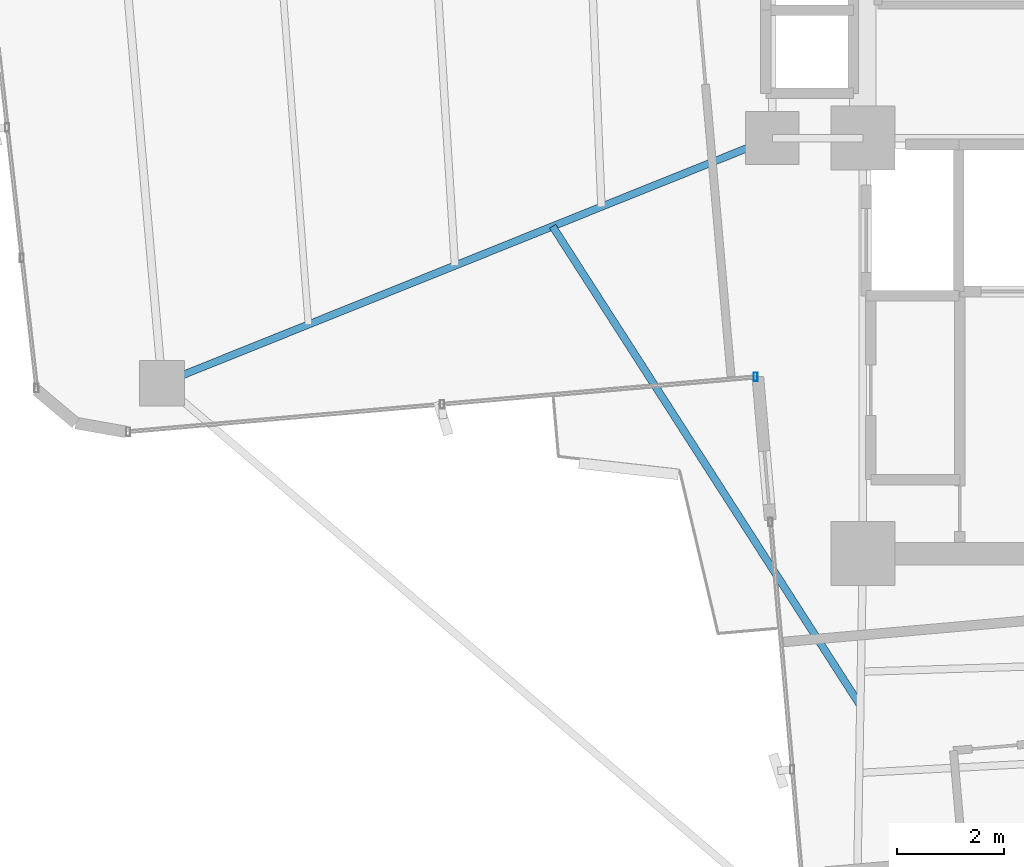
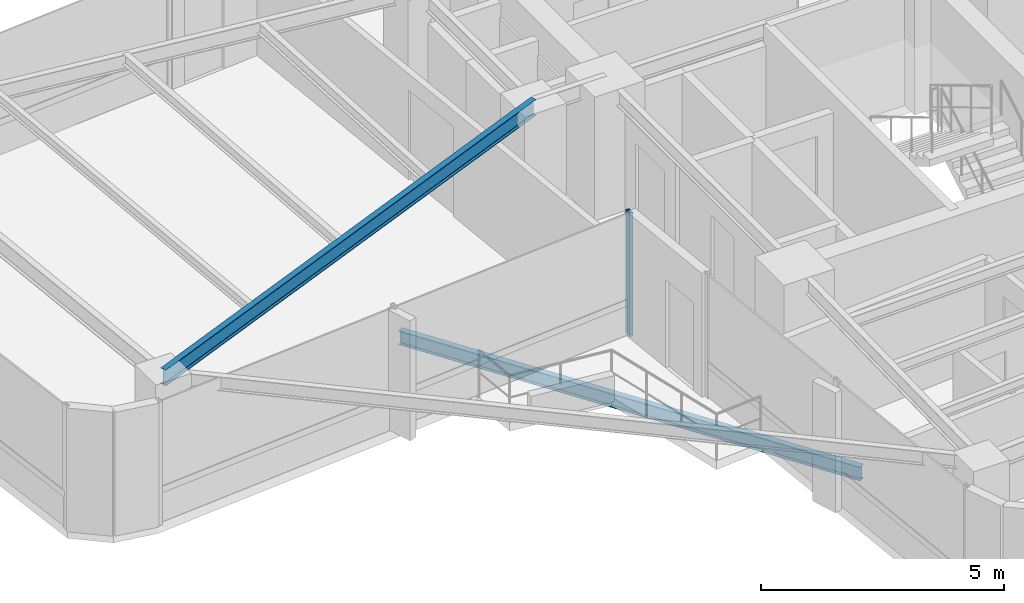
# One storey, part 5 of 24: 2 beams, 1 member, 1 element without a shape of its own.
"""IFC4 building model written with IfcOpenShell, lengths in metres."""

from ifc_helpers import new_model, si_unit, direction, frame, origin, origin_2d, place, context, subcontext, project, spatial, hollow_rectangle, i_section, extrude, source, transform, mapped, material, material_profile, profile_set, type_object, element, aggregate, save


model = new_model("IFC4")

# Units and contexts
model_context = context("Model", 3, precision=1e-05, world=origin(), true_north=direction((0.0, 1.0)))
body_context = subcontext(model_context, "Body", "Model", "MODEL_VIEW")
ifc_project = project(units=[si_unit("LENGTHUNIT", "METRE"), si_unit("AREAUNIT", "SQUARE_METRE"), si_unit("VOLUMEUNIT", "CUBIC_METRE"), si_unit("PLANEANGLEUNIT", "RADIAN"), si_unit("MASSUNIT", "GRAM", prefix="KILO")], contexts=[model_context])

# Site, building, storey
site_placement = place(None, origin())
site = spatial("IfcSite", under=ifc_project, at=site_placement, CompositionType="ELEMENT")
building_placement = place(site_placement, origin())
building = spatial("IfcBuilding", under=site, at=building_placement, Name="Sahyath Konkavel Grand Hotel", CompositionType="ELEMENT")
storey_placement = place(building_placement, frame((0.0, 0.0, 175.199951171875)))
storey = spatial("IfcBuildingStorey", under=building, at=storey_placement, Name="L48", CompositionType="ELEMENT", Elevation=175.199951171875)

# Beam
ifc_material_1 = material(Name="Steel E350", Category="steel")
ifc_material_profile_1 = material_profile(ifc_material_1, i_section(OverallWidth=0.139892578125, OverallDepth=0.39990234375, WebThickness=0.0087890625, FlangeThickness=0.01611328125, FilletRadius=0.013916015625, at=origin_2d()), Name="ISMB 400")
ifc_profile_set_1 = profile_set([ifc_material_profile_1], Name="Steel E350")
beam_type_1 = type_object("IfcBeamType", Name="BM-ISMB400", PredefinedType="BEAM", material=ifc_profile_set_1)
shared_shape_1 = source(origin(), body_context, "Body", "SweptSolid", [
    extrude(i_section(OverallWidth=0.139892578125, OverallDepth=0.39990234375, WebThickness=0.0087890625, FlangeThickness=0.01611328125, FilletRadius=0.013916015625, at=origin_2d()), origin(), (0.0, 0.0, 1.0), 12.344970703125),
])
beam_1_placement = place(storey_placement, frame((-5.5, -2.39990234375, 2.91015625), z_axis=(-0.927837014101, -0.372985891507, 0.0), x_axis=(0.372985891507, -0.927837014101, 0.0)))
element("IfcBeam", 1, at=beam_1_placement, inside=storey, type_object=beam_type_1, Name="L48 Cruciform Radial Girder WB", PredefinedType="BEAM", context=body_context, shape_type="MappedRepresentation", body=[
    mapped(shared_shape_1, transform((0.0, 0.0, 0.0), scale=1.0)),
])

# Curtain wall, member
ifc_material_2 = material(Name="Anodised Bronze Aluminium & Low-E Glazing", Category="aluminium")
curtain_wall_type = type_object("IfcCurtainWallType", Name="CW-ZONE3", PredefinedType="NOTDEFINED", material=ifc_material_2)
curtain_wall_placement = place(storey_placement, origin())
curtain_wall = element("IfcCurtainWall", 2, at=curtain_wall_placement, inside=storey, type_object=curtain_wall_type, Name="L48 Unitised Curtain Wall F23", PredefinedType="NOTDEFINED")
ifc_material_3 = material(Name="Anodised Bronze Aluminium", Category="aluminium")
ifc_material_profile_2 = material_profile(ifc_material_3, hollow_rectangle(XDim=0.080078125, YDim=0.159912109375, WallThickness=0.006103515625, at=origin_2d()), Name="RHS 160x80x6")
ifc_profile_set_2 = profile_set([ifc_material_profile_2], Name="Anodised Bronze Aluminium")
member_type = type_object("IfcMemberType", Name="CW-MUL-160", PredefinedType="MULLION", material=ifc_profile_set_2)
shared_shape_2 = source(origin(), body_context, "Body", "SweptSolid", [
    extrude(hollow_rectangle(XDim=0.080078125, YDim=0.159912109375, WallThickness=0.006103515625, at=origin_2d()), origin(), (0.0, 0.0, 1.0), 3.110107421875),
])
member_placement = place(storey_placement, frame((-5.812255859375, -6.8828125, 0.0), z_axis=(0.0, 0.0, 1.0), x_axis=(1.0, 0.0, 0.0)))
member = element("IfcMember", 3, at=member_placement, type_object=member_type, Name="L48 Curtain Wall Mullion F23-2", PredefinedType="MULLION", context=body_context, shape_type="MappedRepresentation", body=[
    mapped(shared_shape_2, transform((0.0, 0.0, 0.0), scale=1.0)),
])
aggregate(curtain_wall, [member])

# Beam
ifc_material_profile_3 = material_profile(ifc_material_1, i_section(OverallWidth=0.139892578125, OverallDepth=0.35009765625, WebThickness=0.008056640625, FlangeThickness=0.01416015625, FilletRadius=0.013916015625, at=origin_2d()), Name="ISMB 350")
ifc_profile_set_3 = profile_set([ifc_material_profile_3], Name="Steel E350")
beam_type_2 = type_object("IfcBeamType", Name="BM-BALC-CANT", PredefinedType="BEAM", material=ifc_profile_set_3)
shared_shape_3 = source(origin(), body_context, "Body", "SweptSolid", [
    extrude(i_section(OverallWidth=0.139892578125, OverallDepth=0.35009765625, WebThickness=0.008056640625, FlangeThickness=0.01416015625, FilletRadius=0.013916015625, at=origin_2d()), origin(), (0.0, 0.0, 1.0), 10.685302734375),
])
beam_2_placement = place(storey_placement, frame((-9.62353515625, -4.0576171875, -0.4150390625), z_axis=(0.540404181048, -0.841405562797, 0.0), x_axis=(0.841405562797, 0.540404181048, 0.0)))
element("IfcBeam", 4, at=beam_2_placement, inside=storey, type_object=beam_type_2, Name="L48 Balcony Cantilever Support Beam SW", PredefinedType="BEAM", context=body_context, shape_type="MappedRepresentation", body=[
    mapped(shared_shape_3, transform((0.0, 0.0, 0.0), scale=1.0)),
])

save(model, "model.ifc")
